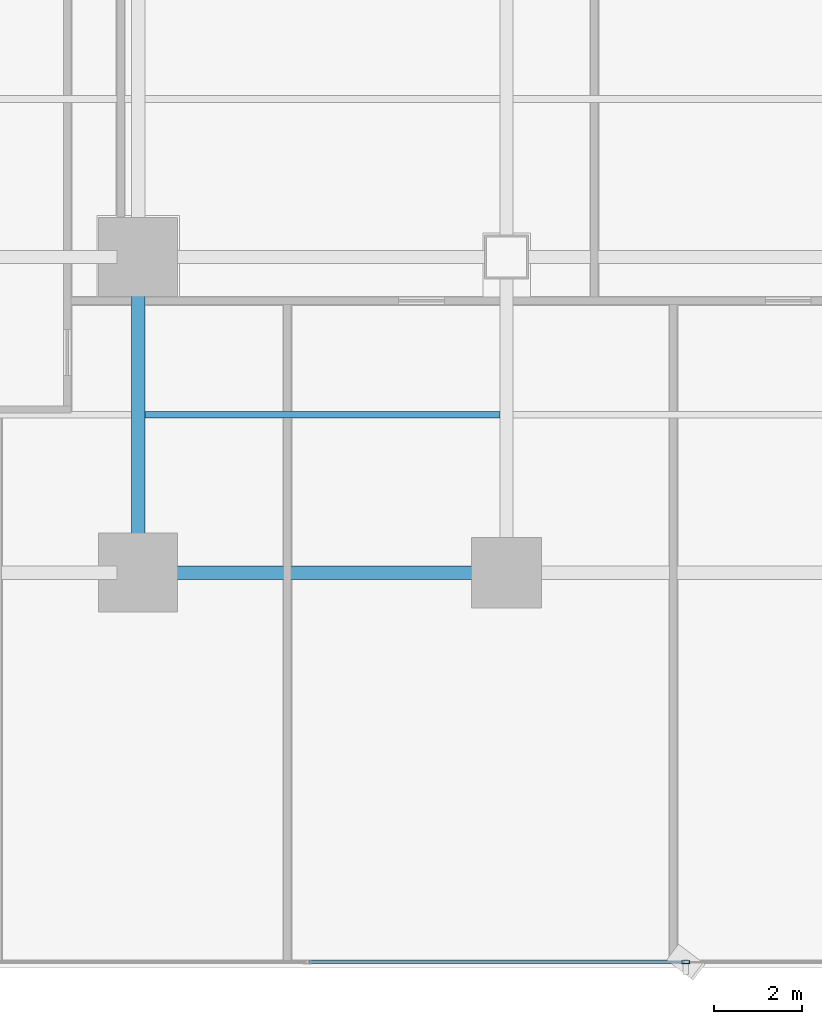
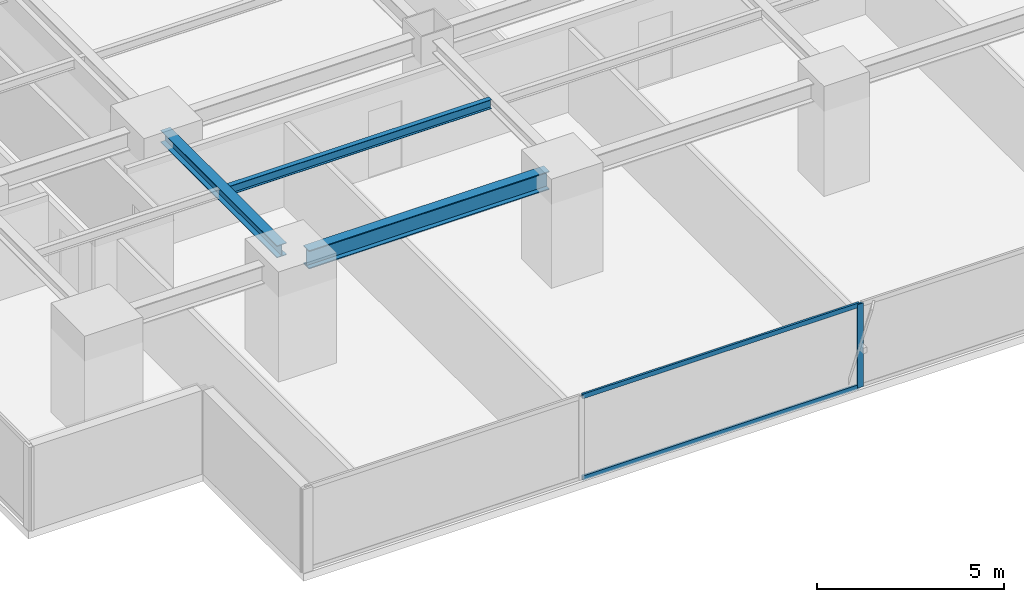
# One storey, part 4 of 34: 3 beams, 3 members, 1 element without a shape of its own.
"""IFC4 building model written with IfcOpenShell, lengths in metres."""

from ifc_helpers import new_model, si_unit, direction, frame, origin, origin_2d, place, context, subcontext, project, spatial, hollow_rectangle, i_section, extrude, source, transform, mapped, material, layer, layer_set, material_profile, profile_set, type_object, element, aggregate, save


model = new_model("IFC4")

# Units and contexts
model_context = context("Model", 3, precision=1e-05, world=origin(), true_north=direction((0.0, 1.0)))
body_context = subcontext(model_context, "Body", "Model", "MODEL_VIEW")
ifc_project = project(units=[si_unit("LENGTHUNIT", "METRE"), si_unit("AREAUNIT", "SQUARE_METRE"), si_unit("VOLUMEUNIT", "CUBIC_METRE"), si_unit("PLANEANGLEUNIT", "RADIAN"), si_unit("MASSUNIT", "GRAM", prefix="KILO")], contexts=[model_context])

# Site, building, storey
site_placement = place(None, origin())
site = spatial("IfcSite", under=ifc_project, at=site_placement, CompositionType="ELEMENT")
building_placement = place(site_placement, origin())
building = spatial("IfcBuilding", under=site, at=building_placement, Name="Sumidabori Civic Tower", CompositionType="ELEMENT")
storey_placement = place(building_placement, frame((0.0, 0.0, 56.0)))
storey = spatial("IfcBuildingStorey", under=building, at=storey_placement, Name="L14", CompositionType="ELEMENT", Elevation=56.0)

# Beams
ifc_material_1 = material(Name="Steel SN490", Category="steel")
ifc_material_profile_1 = material_profile(ifc_material_1, i_section(OverallWidth=0.300048828125, OverallDepth=0.60009765625, WebThickness=0.015380859375, FlangeThickness=0.030029296875, at=origin_2d()), Name="HE 600 B")
ifc_profile_set_1 = profile_set([ifc_material_profile_1], Name="Steel SN490")
beam_type_1 = type_object("IfcBeamType", Name="BM-GIRD-600", PredefinedType="BEAM", material=ifc_profile_set_1)
shared_shape_1 = source(origin(), body_context, "Body", "SweptSolid", [
    extrude(i_section(OverallWidth=0.300048828125, OverallDepth=0.60009765625, WebThickness=0.015380859375, FlangeThickness=0.030029296875, at=origin_2d()), origin(), (0.0, 0.0, 1.0), 7.440185546875),
])
beam_1_placement = place(storey_placement, frame((-16.320068359375, -18.0, 3.06005859375), z_axis=(1.0, 0.0, 0.0), x_axis=(0.0, 1.0, 0.0)))
element("IfcBeam", 1, at=beam_1_placement, inside=storey, type_object=beam_type_1, Name="Primary Girder L14 GX-02", PredefinedType="BEAM", context=body_context, shape_type="MappedRepresentation", body=[
    mapped(shared_shape_1, transform((0.0, 0.0, 0.0), x_axis=(1.0, 0.0, 0.0), y_axis=(0.0, 1.0, 0.0), z_axis=(0.0, 0.0, 1.0), scale=1.0)),
])
ifc_material_profile_2 = material_profile(ifc_material_1, i_section(OverallWidth=0.300048828125, OverallDepth=0.39990234375, WebThickness=0.013427734375, FlangeThickness=0.02392578125, at=origin_2d()), Name="HE 400 B")
ifc_profile_set_2 = profile_set([ifc_material_profile_2], Name="Steel SN490")
beam_type_2 = type_object("IfcBeamType", Name="BM-GIRD-400", PredefinedType="BEAM", material=ifc_profile_set_2)
shared_shape_2 = source(origin(), body_context, "Body", "SweptSolid", [
    extrude(i_section(OverallWidth=0.300048828125, OverallDepth=0.39990234375, WebThickness=0.013427734375, FlangeThickness=0.02392578125, at=origin_2d()), origin(), (0.0, 0.0, 1.0), 6.239990234375),
])
beam_2_placement = place(storey_placement, frame((-16.800048828125, -17.52001953125, 3.159912109375), z_axis=(0.0, 1.0, 0.0), x_axis=(-1.0, 0.0, 0.0)))
element("IfcBeam", 2, at=beam_2_placement, inside=storey, type_object=beam_type_2, Name="Primary Girder L14 GY-25", PredefinedType="BEAM", context=body_context, shape_type="MappedRepresentation", body=[
    mapped(shared_shape_2, transform((0.0, 0.0, 0.0), x_axis=(1.0, 0.0, 0.0), y_axis=(0.0, 1.0, 0.0), z_axis=(0.0, 0.0, 1.0), scale=1.0)),
])
ifc_material_profile_3 = material_profile(ifc_material_1, i_section(OverallWidth=0.14990234375, OverallDepth=0.300048828125, WebThickness=0.007080078125, FlangeThickness=0.0107421875, at=origin_2d()), Name="IPE 300")
ifc_profile_set_3 = profile_set([ifc_material_profile_3], Name="Steel SN490")
beam_type_3 = type_object("IfcBeamType", Name="BM-JST-300", PredefinedType="JOIST", material=ifc_profile_set_3)
shared_shape_3 = source(origin(), body_context, "Body", "SweptSolid", [
    extrude(i_section(OverallWidth=0.14990234375, OverallDepth=0.300048828125, WebThickness=0.007080078125, FlangeThickness=0.0107421875, at=origin_2d()), origin(), (0.0, 0.0, 1.0), 8.099853515625),
])
beam_3_placement = place(storey_placement, frame((-16.64990234375, -14.39990234375, 3.2099609375), z_axis=(1.0, 0.0, 0.0), x_axis=(0.0, 1.0, 0.0)))
element("IfcBeam", 3, at=beam_3_placement, inside=storey, type_object=beam_type_3, Name="South Bay Floor Joist L14 JSTS-61", PredefinedType="JOIST", context=body_context, shape_type="MappedRepresentation", body=[
    mapped(shared_shape_3, transform((0.0, 0.0, 0.0), x_axis=(1.0, 0.0, 0.0), y_axis=(0.0, 1.0, 0.0), z_axis=(0.0, 0.0, 1.0), scale=1.0)),
])

# Curtain wall, members
ifc_material_2 = material(Name="Anodised Bronze Aluminium AW-6063-T6", Category="aluminium")
ifc_layer = layer(ifc_material_2, 0.179931640625, Name="Anodised Bronze Aluminium AW-6063-T6")
ifc_layer_set = layer_set([ifc_layer], Name="Anodised Bronze Aluminium AW-6063-T6")
curtain_wall_type = type_object("IfcCurtainWallType", Name="CW-SYS-2", PredefinedType="NOTDEFINED", material=ifc_layer_set)
curtain_wall_placement = place(storey_placement, origin())
curtain_wall = element("IfcCurtainWall", 4, at=curtain_wall_placement, inside=storey, type_object=curtain_wall_type, Name="Curtain Wall CW:L14:R01", PredefinedType="NOTDEFINED")
ifc_material_profile_4 = material_profile(ifc_material_2, hollow_rectangle(XDim=0.070068359375, YDim=0.179931640625, WallThickness=0.006103515625, at=origin_2d()), Name="ALU MULLION 180x70")
ifc_profile_set_4 = profile_set([ifc_material_profile_4], Name="Anodised Bronze Aluminium AW-6063-T6")
member_type_1 = type_object("IfcMemberType", Name="CW-MUL-180", PredefinedType="MULLION", material=ifc_profile_set_4)
shared_shape_4 = source(origin(), body_context, "Body", "SweptSolid", [
    extrude(hollow_rectangle(XDim=0.070068359375, YDim=0.179931640625, WallThickness=0.006103515625, at=origin_2d()), origin(), (0.0, 0.0, 1.0), 2.739990234375),
])
member_1_placement = place(storey_placement, frame((-4.31396484375, -26.8798828125, 0.0), z_axis=(0.0, 0.0, 1.0), x_axis=(0.0, 1.0, 0.0)))
member_1 = element("IfcMember", 5, at=member_1_placement, type_object=member_type_1, Name="CW-2 mullion 3", PredefinedType="MULLION", context=body_context, shape_type="MappedRepresentation", body=[
    mapped(shared_shape_4, transform((0.0, 0.0, 0.0), x_axis=(1.0, 0.0, 0.0), y_axis=(0.0, 1.0, 0.0), z_axis=(0.0, 0.0, 1.0), scale=1.0)),
])
ifc_material_profile_5 = material_profile(ifc_material_2, hollow_rectangle(XDim=0.06494140625, YDim=0.14990234375, WallThickness=0.0048828125, at=origin_2d()), Name="ALU TRANSOM 150x65")
ifc_profile_set_5 = profile_set([ifc_material_profile_5], Name="Anodised Bronze Aluminium AW-6063-T6")
member_type_2 = type_object("IfcMemberType", Name="CW-TRN-150", PredefinedType="USERDEFINED", material=ifc_profile_set_5)
shared_shape_5 = source(origin(), body_context, "Body", "SweptSolid", [
    extrude(hollow_rectangle(XDim=0.06494140625, YDim=0.14990234375, WallThickness=0.0048828125, at=origin_2d()), origin(), (0.0, 0.0, 1.0), 8.557861328125),
])
member_2_placement = place(storey_placement, frame((-12.906982421875, -26.8798828125, 0.032470703125), z_axis=(1.0, 0.0, 0.0), x_axis=(0.0, 1.0, 0.0)))
member_2 = element("IfcMember", 6, at=member_2_placement, type_object=member_type_2, Name="CW-2 transom 2.1", ObjectType="TRANSOM", PredefinedType="USERDEFINED", context=body_context, shape_type="MappedRepresentation", body=[
    mapped(shared_shape_5, transform((0.0, 0.0, 0.0), x_axis=(1.0, 0.0, 0.0), y_axis=(0.0, 1.0, 0.0), z_axis=(0.0, 0.0, 1.0), scale=1.0)),
])
member_3_placement = place(storey_placement, frame((-12.906982421875, -26.8798828125, 2.70751953125), z_axis=(1.0, 0.0, 0.0), x_axis=(0.0, 1.0, 0.0)))
member_3 = element("IfcMember", 7, at=member_3_placement, type_object=member_type_2, Name="CW-2 transom 2.2", ObjectType="TRANSOM", PredefinedType="USERDEFINED", context=body_context, shape_type="MappedRepresentation", body=[
    mapped(shared_shape_5, transform((0.0, 0.0, 0.0), x_axis=(1.0, 0.0, 0.0), y_axis=(0.0, 1.0, 0.0), z_axis=(0.0, 0.0, 1.0), scale=1.0)),
])
aggregate(curtain_wall, [member_1, member_2, member_3])

save(model, "model.ifc")
